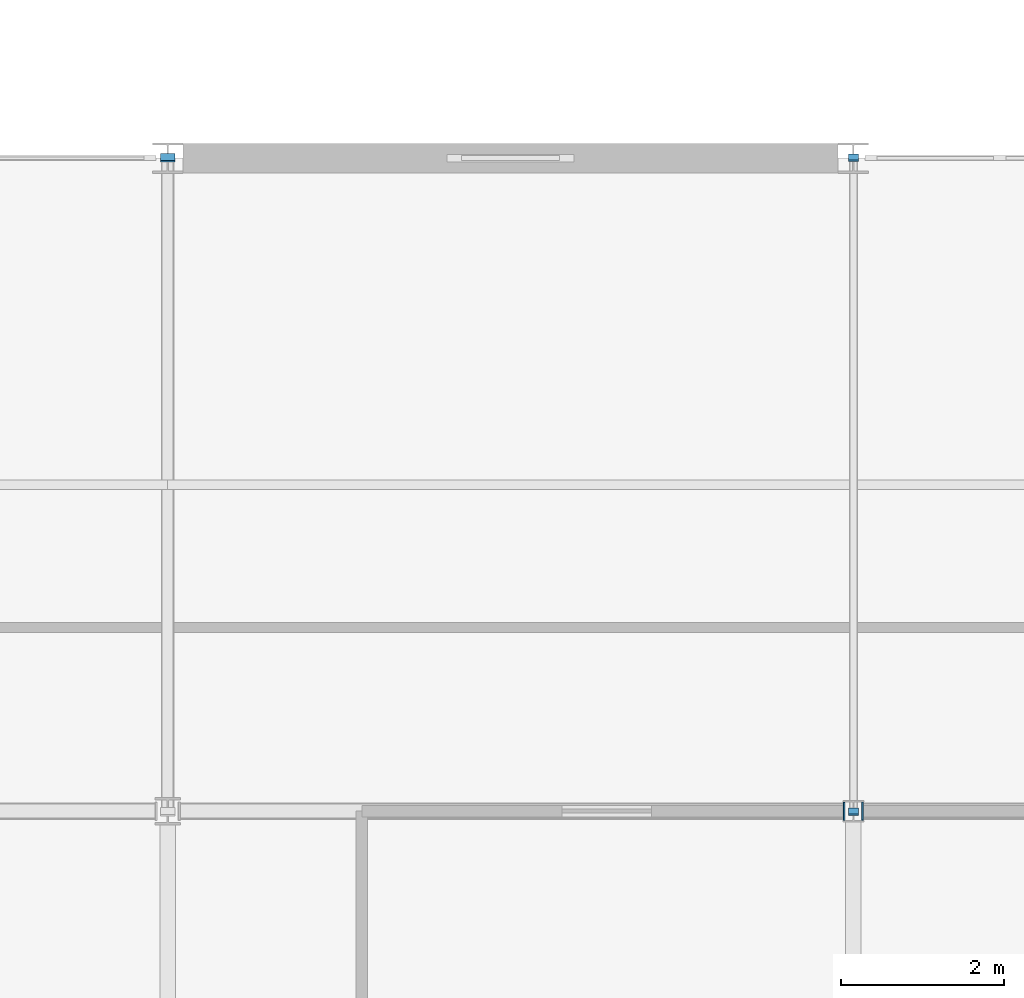
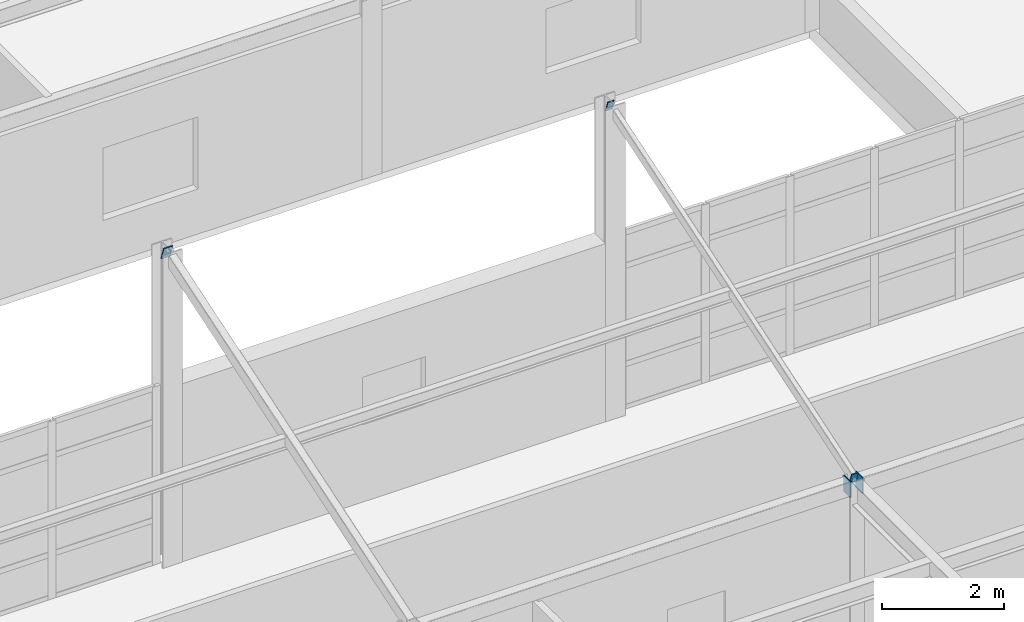
# One storey, part 59 of 96: 5 discrete accessories.
"""IFC4 building model written with IfcOpenShell, lengths in metres."""

import ifcopenshell
import ifcopenshell.guid

model = None  # the IFC model being written
_history = None  # IfcOwnerHistory: only IFC2X3 demands one
_inside = {}  # id of a spatial element -> (the spatial element, [elements in it])
_under = {}  # id of a project, library or spatial element -> (it, [spatial elements below it])
_declared = {}  # id of a project -> (the project, [libraries it declares])
_typed = {}  # id of a type object -> (the type object, [elements of that type])
_made_of = {}  # id of a material, layer set ... -> (it, [elements and type objects made of it])


def new_model(schema):
    """Start an empty IFC model of exactly this schema.

    Asked for "IFC4X3", IfcOpenShell would pick the latest addendum, in which some entities
    have other attributes; the version numbers below select the first issue.
    IFC2X3 requires an IfcOwnerHistory on every rooted entity: one is made here for all.
    """
    global model, _history
    if schema == "IFC4X3":
        model = ifcopenshell.file(schema_version=(4, 3, 0, 0))
    else:
        model = ifcopenshell.file(schema=schema)
    _inside.clear()
    _under.clear()
    _declared.clear()
    _typed.clear()
    _made_of.clear()
    _history = None
    if model.schema == "IFC2X3":
        org = make("IfcOrganization", Name="unknown")
        user = make(
            "IfcPersonAndOrganization",
            ThePerson=make("IfcPerson", FamilyName="unknown"),
            TheOrganization=org,
        )
        app = make(
            "IfcApplication",
            ApplicationDeveloper=org,
            Version="unknown",
            ApplicationFullName="unknown",
            ApplicationIdentifier="unknown",
        )
        _history = make(
            "IfcOwnerHistory",
            OwningUser=user,
            OwningApplication=app,
            ChangeAction="ADDED",
            CreationDate=0,
        )
    return model


def make(cls, **values):
    """One entity of the class cls with the attributes given. An attribute that is None is left unset."""
    return model.create_entity(
        cls, **{name: value for name, value in values.items() if value is not None}
    )


def rooted(cls, **values):
    """An entity with a GlobalId (a new one), such as an element, a storey or a relation."""
    return make(cls, GlobalId=ifcopenshell.guid.new(), OwnerHistory=_history, **values)


def si_unit(unit_type, name, prefix=None):
    """IfcSIUnit, for example si_unit("LENGTHUNIT", "METRE", prefix="MILLI")."""
    return make("IfcSIUnit", UnitType=unit_type, Prefix=prefix, Name=name)


def assignment(units):
    """IfcUnitAssignment: the units of a project."""
    return None if units is None else make("IfcUnitAssignment", Units=units)


def point(xyz):
    """IfcCartesianPoint."""
    return None if xyz is None else make("IfcCartesianPoint", Coordinates=xyz)


def direction(xyz):
    """IfcDirection."""
    return None if xyz is None else make("IfcDirection", DirectionRatios=xyz)


def frame(location, z_axis=None, x_axis=None):
    """IfcAxis2Placement3D, a coordinate frame: its origin and axes. An axis left out is left unset."""
    return make(
        "IfcAxis2Placement3D",
        Location=point(location),
        Axis=direction(z_axis),
        RefDirection=direction(x_axis),
    )


def frame_2d(location, x_axis=None):
    """IfcAxis2Placement2D, a coordinate frame in the plane: its origin and x axis."""
    return make(
        "IfcAxis2Placement2D", Location=point(location), RefDirection=direction(x_axis)
    )


def origin():
    """The frame at (0, 0, 0) with its axes left unset."""
    return frame((0.0, 0.0, 0.0))


def origin_2d():
    """The frame at (0, 0) in the plane with its x axis left unset."""
    return frame_2d((0.0, 0.0))


def place(relative_to, where):
    """IfcLocalPlacement: puts the frame where relative to a parent placement (None: the world)."""
    return make(
        "IfcLocalPlacement", PlacementRelTo=relative_to, RelativePlacement=where
    )


def context(
    kind, dimensions, precision=None, world=None, true_north=None, identifier=None
):
    """IfcGeometricRepresentationContext, for example the 3D "Model" context."""
    return make(
        "IfcGeometricRepresentationContext",
        ContextIdentifier=identifier,
        ContextType=kind,
        CoordinateSpaceDimension=dimensions,
        Precision=precision,
        WorldCoordinateSystem=world,
        TrueNorth=true_north,
    )


def subcontext(parent, identifier, kind, view, scale=None):
    """IfcGeometricRepresentationSubContext, for example "Body" below "Model"."""
    return make(
        "IfcGeometricRepresentationSubContext",
        ContextIdentifier=identifier,
        ContextType=kind,
        ParentContext=parent,
        TargetScale=scale,
        TargetView=view,
    )


def project(units=None, contexts=None):
    """IfcProject with its units and contexts."""
    return rooted(
        "IfcProject",
        Name="project",
        RepresentationContexts=contexts,
        UnitsInContext=assignment(units),
    )


def spatial(cls, under=None, at=None, **own):
    """A site, building, storey or space (cls), placed at a placement, below another one or the project."""
    s = rooted(cls, ObjectPlacement=at, **own)
    if under is not None:
        _under.setdefault(under.id(), (under, []))[1].append(s)
    return s


def profile(cls, at=None, kind="AREA", **sizes):
    """A parametric profile (cls). Its sizes go by their IFC names, for example OverallWidth=200.0."""
    return make(cls, ProfileType=kind, Position=at, **sizes)


def rectangle(**sizes):
    """IfcRectangleProfileDef."""
    return profile("IfcRectangleProfileDef", **sizes)


def extrude(swept, where, along, depth):
    """IfcExtrudedAreaSolid: the profile swept, set in the frame where, extruded along a direction by depth."""
    return make(
        "IfcExtrudedAreaSolid",
        SweptArea=swept,
        Position=where,
        ExtrudedDirection=direction(along),
        Depth=depth,
    )


def shape(context_of_items, identifier, shape_type, items):
    """IfcShapeRepresentation: the items that make up one representation, for example the "Body"."""
    return make(
        "IfcShapeRepresentation",
        ContextOfItems=context_of_items,
        RepresentationIdentifier=identifier,
        RepresentationType=shape_type,
        Items=items,
    )


def material(Name=None, Category=None):
    """IfcMaterial."""
    return make("IfcMaterial", Name=Name, Category=Category)


def layer(
    of_material, thickness, ventilated=None, Name=None, Category=None, Priority=None
):
    """IfcMaterialLayer: one layer of a wall or slab, of a material (None: an air gap)."""
    return make(
        "IfcMaterialLayer",
        Material=of_material,
        LayerThickness=thickness,
        IsVentilated=ventilated,
        Name=Name,
        Category=Category,
        Priority=Priority,
    )


def layer_set(layers, Name=None):
    """IfcMaterialLayerSet."""
    return make("IfcMaterialLayerSet", MaterialLayers=layers, LayerSetName=Name)


def made_of(thing, what):
    """Note that an element or type object is made of a material, layer set ...; save() writes the relation."""
    if what is not None:
        _made_of.setdefault(what.id(), (what, []))[1].append(thing)
    return thing


def type_object(cls, material=None, **own):
    """A type object (cls), such as IfcWallType, which elements share."""
    return made_of(rooted(cls, **own), material)


def element(
    cls,
    number,
    at=None,
    inside=None,
    cuts=None,
    type_object=None,
    material=None,
    context=None,
    identifier="Body",
    shape_type=None,
    held_by="IfcProductDefinitionShape",
    body=None,
    shapes=None,
    **own,
):
    """One element of the class cls, such as IfcWall. Its Tag is "e" and its number.

    at: its placement. inside: the storey or other place that contains it. cuts: it is an
    opening in that element (IfcRelVoidsElement). A single representation is given by context,
    identifier, shape_type and body (its items); several are given by shapes. held_by: the class
    of the entity that holds the representations. save() writes the other relations.
    """
    e = rooted(cls, Tag="e%d" % number, ObjectPlacement=at, **own)
    if body is not None:
        shapes = [shape(context, identifier, shape_type, body)]
    if shapes is not None:
        e.Representation = make(held_by, Representations=shapes)
    if inside is not None:
        _inside.setdefault(inside.id(), (inside, []))[1].append(e)
    if cuts is not None:
        rooted(
            "IfcRelVoidsElement", RelatingBuildingElement=cuts, RelatedOpeningElement=e
        )
    if type_object is not None:
        _typed.setdefault(type_object.id(), (type_object, []))[1].append(e)
    return made_of(e, material)


def aggregate(whole, parts):
    """IfcRelAggregates: a whole, such as a stair, and the parts it consists of."""
    return rooted("IfcRelAggregates", RelatingObject=whole, RelatedObjects=parts)


def save(model, path):
    """Write the relations noted so far, then the file.

    IfcRelAggregates (storeys below a building ...), IfcRelContainedInSpatialStructure (elements
    in a storey), IfcRelDefinesByType, IfcRelAssociatesMaterial and IfcRelDeclares: one each for
    every whole, place, type object, material and project.
    """
    for whole, parts in _under.values():
        aggregate(whole, parts)
    for where, things in _inside.values():
        rooted(
            "IfcRelContainedInSpatialStructure",
            RelatedElements=things,
            RelatingStructure=where,
        )
    for kind, things in _typed.values():
        rooted("IfcRelDefinesByType", RelatedObjects=things, RelatingType=kind)
    for what, things in _made_of.values():
        rooted("IfcRelAssociatesMaterial", RelatedObjects=things, RelatingMaterial=what)
    for by, libraries in _declared.values():
        rooted("IfcRelDeclares", RelatingContext=by, RelatedDefinitions=libraries)
    model.write(path)


model = new_model("IFC4")

# Units and contexts
model_context = context("Model", 3, precision=1e-05, world=origin(), true_north=direction((0.0, 1.0)))
body_context = subcontext(model_context, "Body", "Model", "MODEL_VIEW")
ifc_project = project(units=[si_unit("LENGTHUNIT", "METRE"), si_unit("AREAUNIT", "SQUARE_METRE"), si_unit("VOLUMEUNIT", "CUBIC_METRE"), si_unit("PLANEANGLEUNIT", "RADIAN"), si_unit("MASSUNIT", "GRAM", prefix="KILO")], contexts=[model_context])

# Site, building, storey
site_placement = place(None, origin())
site = spatial("IfcSite", under=ifc_project, at=site_placement, CompositionType="ELEMENT")
building_placement = place(site_placement, origin())
building = spatial("IfcBuilding", under=site, at=building_placement, Name="Kranzveld Transit Interchange", CompositionType="ELEMENT")
storey_placement = place(building_placement, frame((0.0, 0.0, 9.52001953125)))
storey = spatial("IfcBuildingStorey", under=building, at=storey_placement, Name="L02", CompositionType="ELEMENT", Elevation=9.52001953125)

# Discrete accessories
ifc_material = material(Name="Steel S355JR", Category="steel")
ifc_layer = layer(ifc_material, 0.02001953125)
ifc_layer_set = layer_set([ifc_layer], Name="Steel S355JR")
discrete_accessory_type = type_object("IfcDiscreteAccessoryType", Name="Hollow Section End Cap Bracket 20 S355JR", PredefinedType="BRACKET", material=ifc_layer_set)
for number, where, z_axis, x_axis, name in (
    (1, (25.07666015625, 32.0, 3.419921875), (1.0, 0.0, 0.0), (0.0, 1.0, 0.0), "Hollow Section End Cap SP-RHS300-2"),
    (2, (25.323486328125, 32.0, 3.419921875), (-1.0, 0.0, 0.0), (0.0, -1.0, 0.0), "Hollow Section End Cap SP-RHS300-1"),
):
    element("IfcDiscreteAccessory", number, at=place(storey_placement, frame(where, z_axis=z_axis, x_axis=x_axis)), inside=storey, type_object=discrete_accessory_type, Name=name, PredefinedType="BRACKET", context=body_context, shape_type="SweptSolid", body=[
        extrude(rectangle(XDim=0.22412109375, YDim=0.323974609375, at=origin_2d()), origin(), (0.0, 0.0, 1.0), 0.02001953125),
    ])
discrete_accessory_placement = place(storey_placement, frame((16.800048828125, 39.99609375, 6.15869140625), z_axis=(0.0, 0.948683298051, 0.316227766017), x_axis=(-1.0, 0.0, 0.0)))
element("IfcDiscreteAccessory", 3, at=discrete_accessory_placement, inside=storey, type_object=discrete_accessory_type, Name="Hollow Section End Cap CH-RHS250-2", PredefinedType="BRACKET", context=body_context, shape_type="SweptSolid", body=[
    extrude(rectangle(XDim=0.174072265625, YDim=0.27392578125, at=origin_2d()), origin(), (0.0, 0.0, 1.0), 0.02001953125),
])
for number, where, z_axis, x_axis, name in (
    (4, (25.199951171875, 32.00390625, 3.561279296875), (0.0, -0.948683298051, -0.316227766017), (1.0, 0.0, 0.0), "Hollow Section End Cap CH-RHS200-1"),
    (5, (25.199951171875, 39.99609375, 6.15869140625), (0.0, 0.948683298051, 0.316227766017), (-1.0, 0.0, 0.0), "Hollow Section End Cap CH-RHS200-2"),
):
    element("IfcDiscreteAccessory", number, at=place(storey_placement, frame(where, z_axis=z_axis, x_axis=x_axis)), inside=storey, type_object=discrete_accessory_type, Name=name, PredefinedType="BRACKET", context=body_context, shape_type="SweptSolid", body=[
        extrude(rectangle(XDim=0.1240234375, YDim=0.22412109375, at=origin_2d()), origin(), (0.0, 0.0, 1.0), 0.02001953125),
    ])

save(model, "model.ifc")
